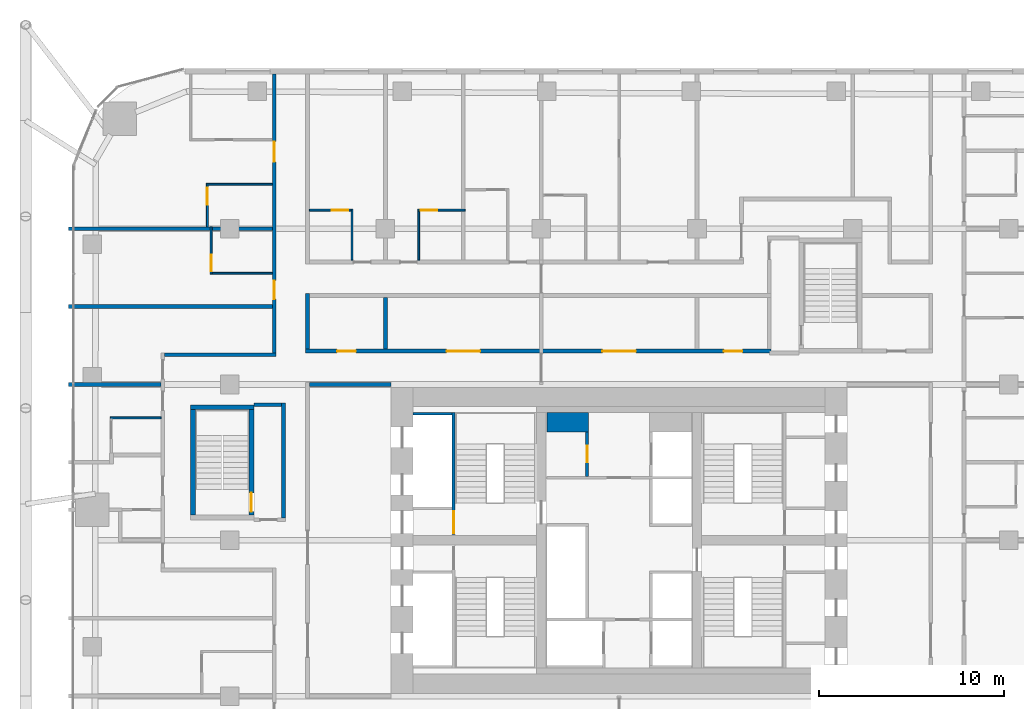
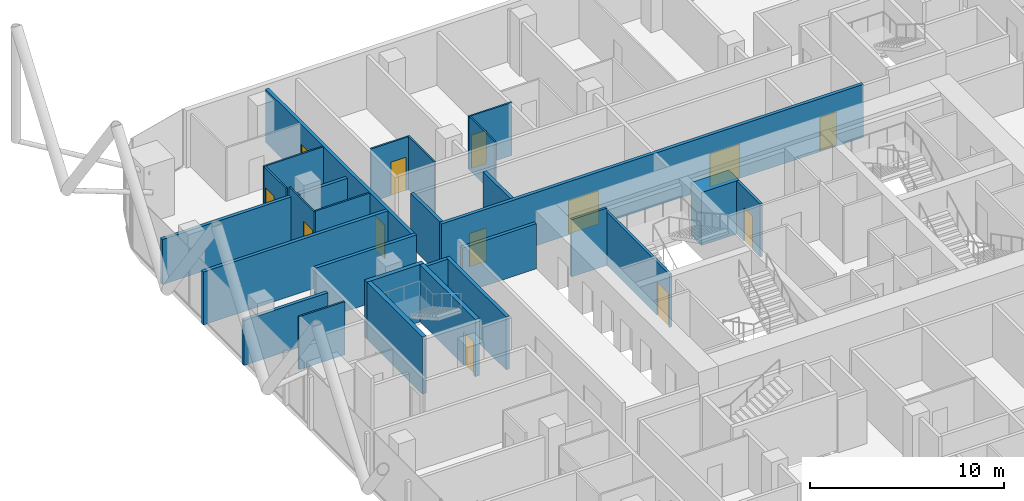
# One storey, part 33 of 38: 27 walls, 13 doors, 13 openings.
"""IFC4 building model written with IfcOpenShell, lengths in metres."""

from ifc_helpers import new_model, si_unit, direction, frame, frame_2d, origin, place, context, subcontext, project, spatial, rectangle, extrude, material, layer, layer_set, type_object, element, fill, save


model = new_model("IFC4")

# Units and contexts
model_context = context("Model", 3, precision=1e-05, world=origin(), true_north=direction((0.0, 1.0)))
body_context = subcontext(model_context, "Body", "Model", "MODEL_VIEW")
ifc_project = project(units=[si_unit("LENGTHUNIT", "METRE"), si_unit("AREAUNIT", "SQUARE_METRE"), si_unit("VOLUMEUNIT", "CUBIC_METRE"), si_unit("PLANEANGLEUNIT", "RADIAN"), si_unit("MASSUNIT", "GRAM", prefix="KILO")], contexts=[model_context])

# Site, building, storey
site_placement = place(None, origin())
site = spatial("IfcSite", under=ifc_project, at=site_placement, CompositionType="ELEMENT")
building_placement = place(site_placement, origin())
building = spatial("IfcBuilding", under=site, at=building_placement, Name="Marenta Gate Hotel Tower", CompositionType="ELEMENT")
storey_placement = place(building_placement, frame((0.0, 0.0, 40.10009765625)))
storey = spatial("IfcBuildingStorey", under=building, at=storey_placement, Name="L07", CompositionType="ELEMENT", Elevation=40.10009765625)

# Walls
ifc_material_1 = material(Name="Concrete blockwork", Category="masonry")
ifc_layer_1 = layer(ifc_material_1, 0.199951171875)
ifc_layer_set_1 = layer_set([ifc_layer_1], Name="Concrete blockwork")
wall_type_1 = type_object("IfcWallType", Name="Core boundary wall 200 REI 180", PredefinedType="PARTITIONING", material=ifc_layer_set_1)
wall_1_placement = place(storey_placement, frame((-16.699951171875, 16.800048828125, 0.0), z_axis=(0.0, 0.0, 1.0), x_axis=(1.0, 0.0, 0.0)))
element("IfcWall", 1, at=wall_1_placement, inside=storey, type_object=wall_type_1, Name="L07-CP-EW-WN", PredefinedType="PARTITIONING", context=body_context, shape_type="SweptSolid", body=[
    extrude(rectangle(XDim=4.39990234375, YDim=0.199951171875, at=frame_2d((2.199951171875, 0.0))), origin(), (0.0, 0.0, 1.0), 2.83984375),
])
ifc_material_2 = material(Name="Concrete blockwork", Category="masonry")
ifc_layer_2 = layer(ifc_material_2, 1.050048828125)
ifc_layer_set_2 = layer_set([ifc_layer_2], Name="Concrete blockwork")
wall_type_2 = type_object("IfcWallType", Name="Core room partition 1050 REI 180", PredefinedType="PARTITIONING", material=ifc_layer_set_2)
wall_2_placement = place(storey_placement, frame((-3.89990234375, 14.77490234375, 0.0), z_axis=(0.0, 0.0, 1.0), x_axis=(1.0, 0.0, 0.0)))
element("IfcWall", 2, at=wall_2_placement, inside=storey, type_object=wall_type_2, Name="L07-CP-CW-W-riser-N", PredefinedType="PARTITIONING", context=body_context, shape_type="SweptSolid", body=[
    extrude(rectangle(XDim=2.25, YDim=1.050048828125, at=frame_2d((1.125, 0.0))), origin(), (0.0, 0.0, 1.0), 3.33984375),
])

# Wall, opening, door
ifc_material_3 = material(Name="Concrete blockwork", Category="masonry")
ifc_layer_3 = layer(ifc_material_3, 0.14990234375)
ifc_layer_set_3 = layer_set([ifc_layer_3], Name="Concrete blockwork")
wall_type_3 = type_object("IfcWallType", Name="Core room partition 150 REI 180", PredefinedType="PARTITIONING", material=ifc_layer_set_3)
wall_3_placement = place(storey_placement, frame((-1.72509765625, 11.85009765625, 0.0), z_axis=(0.0, 0.0, 1.0), x_axis=(0.0, 1.0, 0.0)))
wall_3 = element("IfcWall", 3, at=wall_3_placement, inside=storey, type_object=wall_type_3, Name="L07-CP-CW-W-riser-front", PredefinedType="PARTITIONING", context=body_context, shape_type="SweptSolid", body=[
    extrude(rectangle(XDim=2.39990234375, YDim=0.14990234375, at=frame_2d((1.199951171875, 0.0))), origin(), (0.0, 0.0, 1.0), 3.33984375),
])
opening_1_placement = place(wall_3_placement, frame((0.75, 0.0, 0.0)))
opening_1 = element("IfcOpeningElement", 4, at=opening_1_placement, cuts=wall_3, Name="Opening RD-CRISER", PredefinedType="OPENING", context=body_context, shape_type="SweptSolid", body=[
    extrude(rectangle(XDim=0.89990234375, YDim=2.10009765625, at=frame_2d((0.449951171875, 1.050048828125))), frame((0.0, 0.074951171875, 0.0), z_axis=(0.0, -1.0, 0.0), x_axis=(1.0, 0.0, 0.0)), (0.0, 0.0, 1.0), 0.14990234375),
])
ifc_material_4 = material(Name="Steel", Category="steel")
door_type_1 = type_object("IfcDoorType", Name="Core riser door 900x2100 FD60", OperationType="SINGLE_SWING_LEFT", PredefinedType="DOOR", material=ifc_material_4)
door_1_placement = place(opening_1_placement, origin())
door_1 = element("IfcDoor", 5, at=door_1_placement, inside=storey, type_object=door_type_1, Name="RD-CRISER", OperationType="SINGLE_SWING_LEFT", OverallHeight=2.10009765625, OverallWidth=0.89990234375, PredefinedType="DOOR", context=body_context, shape_type="SweptSolid", body=[
    extrude(rectangle(XDim=0.89990234375, YDim=2.10009765625, at=frame_2d((0.449951171875, 1.050048828125))), frame((0.0, 0.02490234375, 0.0), z_axis=(0.0, -1.0, 0.0), x_axis=(1.0, 0.0, 0.0)), (0.0, 0.0, 1.0), 0.050048828125),
])
fill(opening_1, door_1)

# Wall
ifc_material_5 = material(Name="Concrete C40", Category="concrete")
ifc_layer_4 = layer(ifc_material_5, 0.14990234375)
ifc_layer_set_4 = layer_set([ifc_layer_4], Name="Concrete C40")
wall_type_4 = type_object("IfcWallType", Name="Core shaft wall 150 REI 180", PredefinedType="SHEAR", material=ifc_layer_set_4)
wall_4_placement = place(storey_placement, frame((-11.10009765625, 15.22509765625, 0.0), z_axis=(0.0, 0.0, 1.0), x_axis=(1.0, 0.0, 0.0)))
element("IfcWall", 6, at=wall_4_placement, inside=storey, type_object=wall_type_4, Name="L07-SHF-SW-WN-5", PredefinedType="SHEAR", context=body_context, shape_type="SweptSolid", body=[
    extrude(rectangle(XDim=2.10009765625, YDim=0.14990234375, at=frame_2d((1.050048828125, 0.0))), origin(), (0.0, 0.0, 1.0), 3.599853515625),
])

# Wall, opening, door
ifc_material_6 = material(Name="Concrete C40", Category="concrete")
ifc_layer_5 = layer(ifc_material_6, 0.14990234375)
ifc_layer_set_5 = layer_set([ifc_layer_5], Name="Concrete C40")
wall_type_5 = type_object("IfcWallType", Name="Core stair enclosure wall 150 REI 180", PredefinedType="SHEAR", material=ifc_layer_set_5)
wall_5_placement = place(storey_placement, frame((-8.925048828125, 8.699951171875, 0.0), z_axis=(0.0, 0.0, 1.0), x_axis=(0.0, 1.0, 0.0)))
wall_5 = element("IfcWall", 7, at=wall_5_placement, inside=storey, type_object=wall_type_5, Name="L07-SHF-SW-WN-3", PredefinedType="SHEAR", context=body_context, shape_type="SweptSolid", body=[
    extrude(rectangle(XDim=6.60009765625, YDim=0.14990234375, at=frame_2d((3.300048828125, 0.0))), origin(), (0.0, 0.0, 1.0), 3.33984375),
])
opening_2_placement = place(wall_5_placement, frame((0.074951171875, 0.0, 0.0)))
opening_2 = element("IfcOpeningElement", 8, at=opening_2_placement, cuts=wall_5, Name="Opening SD-WN", PredefinedType="OPENING", context=body_context, shape_type="SweptSolid", body=[
    extrude(rectangle(XDim=1.199951171875, YDim=2.10009765625, at=frame_2d((0.60009765625, 1.050048828125))), frame((0.0, 0.074951171875, 0.0), z_axis=(0.0, -1.0, 0.0), x_axis=(1.0, 0.0, 0.0)), (0.0, 0.0, 1.0), 0.14990234375),
])
ifc_material_7 = material(Name="Steel", Category="steel")
door_type_2 = type_object("IfcDoorType", Name="Core stair door 1200x2100 FD60", OperationType="SINGLE_SWING_LEFT", PredefinedType="DOOR", material=ifc_material_7)
door_2_placement = place(opening_2_placement, origin())
door_2 = element("IfcDoor", 9, at=door_2_placement, inside=storey, type_object=door_type_2, Name="SD-WN", OperationType="SINGLE_SWING_LEFT", OverallHeight=2.10009765625, OverallWidth=1.199951171875, PredefinedType="DOOR", context=body_context, shape_type="SweptSolid", body=[
    extrude(rectangle(XDim=1.199951171875, YDim=2.10009765625, at=frame_2d((0.60009765625, 1.050048828125))), frame((0.0, 0.02490234375, 0.0), z_axis=(0.0, -1.0, 0.0), x_axis=(1.0, 0.0, 0.0)), (0.0, 0.0, 1.0), 0.050048828125),
])
fill(opening_2, door_2)

# Walls
ifc_material_8 = material(Name="Concrete C40", Category="concrete")
ifc_layer_6 = layer(ifc_material_8, 0.25)
ifc_layer_set_6 = layer_set([ifc_layer_6], Name="Concrete C40")
wall_type_6 = type_object("IfcWallType", Name="Remote stair enclosure wall 250 REI 180", PredefinedType="SHEAR", material=ifc_layer_set_6)
wall_6_placement = place(storey_placement, frame((-23.10009765625, 15.574951171875, 0.099853515625), z_axis=(0.0, 0.0, 1.0), x_axis=(1.0, 0.0, 0.0)))
element("IfcWall", 10, at=wall_6_placement, inside=storey, type_object=wall_type_6, Name="L07-RS-Z1-3-W2", PredefinedType="SHEAR", context=body_context, shape_type="SweptSolid", body=[
    extrude(rectangle(XDim=3.400146484375, YDim=0.25, at=frame_2d((1.7001953125, 0.0))), origin(), (0.0, 0.0, 1.0), 3.60009765625),
])
wall_7_placement = place(storey_placement, frame((-22.97509765625, 9.75, 0.099853515625), z_axis=(0.0, 0.0, 1.0), x_axis=(0.0, 1.0, 0.0)))
element("IfcWall", 11, at=wall_7_placement, inside=storey, type_object=wall_type_6, Name="L07-RS-Z1-3-W3", PredefinedType="SHEAR", context=body_context, shape_type="SweptSolid", body=[
    extrude(rectangle(XDim=5.699951171875, YDim=0.25, at=frame_2d((2.85009765625, 0.0))), origin(), (0.0, 0.0, 1.0), 3.60009765625),
])

# Wall, opening, door
wall_8_placement = place(storey_placement, frame((-19.824951171875, 9.75, 0.099853515625), z_axis=(0.0, 0.0, 1.0), x_axis=(0.0, 1.0, 0.0)))
wall_8 = element("IfcWall", 12, at=wall_8_placement, inside=storey, type_object=wall_type_6, Name="L07-RS-Z1-3-W4", PredefinedType="SHEAR", context=body_context, shape_type="SweptSolid", body=[
    extrude(rectangle(XDim=5.699951171875, YDim=0.25, at=frame_2d((2.85009765625, 0.0))), origin(), (0.0, 0.0, 1.0), 3.60009765625),
])
opening_3_placement = place(wall_8_placement, frame((0.199951171875, 0.0, 0.0)))
opening_3 = element("IfcOpeningElement", 13, at=opening_3_placement, cuts=wall_8, Name="Opening VD", PredefinedType="OPENING", context=body_context, shape_type="SweptSolid", body=[
    extrude(rectangle(XDim=1.0, YDim=2.10009765625, at=frame_2d((0.5, 1.050048828125))), frame((0.0, 0.125, 0.0), z_axis=(0.0, -1.0, 0.0), x_axis=(1.0, 0.0, 0.0)), (0.0, 0.0, 1.0), 0.25),
])
ifc_material_9 = material(Name="Steel", Category="steel")
door_type_3 = type_object("IfcDoorType", Name="Stair vestibule door 1000x2100 FD60", OperationType="SINGLE_SWING_LEFT", PredefinedType="DOOR", material=ifc_material_9)
door_3_placement = place(opening_3_placement, origin())
door_3 = element("IfcDoor", 14, at=door_3_placement, inside=storey, type_object=door_type_3, Name="VD", OperationType="SINGLE_SWING_LEFT", OverallHeight=2.10009765625, OverallWidth=1.0, PredefinedType="DOOR", context=body_context, shape_type="SweptSolid", body=[
    extrude(rectangle(XDim=1.0, YDim=2.10009765625, at=frame_2d((0.5, 1.050048828125))), frame((0.0, 0.02490234375, 0.0), z_axis=(0.0, -1.0, 0.0), x_axis=(1.0, 0.0, 0.0)), (0.0, 0.0, 1.0), 0.050048828125),
])
fill(opening_3, door_3)

# Wall
ifc_material_10 = material(Name="Concrete blockwork", Category="masonry")
ifc_layer_7 = layer(ifc_material_10, 0.199951171875)
ifc_layer_set_7 = layer_set([ifc_layer_7], Name="Concrete blockwork")
wall_type_7 = type_object("IfcWallType", Name="Room corridor wall 200 EI 120", PredefinedType="PARTITIONING", material=ifc_layer_set_7)
wall_9_placement = place(storey_placement, frame((-16.800048828125, 18.699951171875, 0.0), z_axis=(0.0, 0.0, 1.0), x_axis=(0.0, 1.0, 0.0)))
element("IfcWall", 15, at=wall_9_placement, inside=storey, type_object=wall_type_7, Name="L07-PTN-W112", PredefinedType="PARTITIONING", context=body_context, shape_type="SweptSolid", body=[
    extrude(rectangle(XDim=3.0, YDim=0.199951171875, at=frame_2d((1.5, 0.0))), origin(), (0.0, 0.0, 1.0), 3.33984375),
])

# Wall, openings, doors
wall_10_placement = place(storey_placement, frame((-16.89990234375, 18.60009765625, 0.0), z_axis=(0.0, 0.0, 1.0), x_axis=(1.0, 0.0, 0.0)))
wall_10 = element("IfcWall", 16, at=wall_10_placement, inside=storey, type_object=wall_type_7, Name="L07-PTN-W121", PredefinedType="PARTITIONING", context=body_context, shape_type="SweptSolid", body=[
    extrude(rectangle(XDim=25.099853515625, YDim=0.199951171875, at=frame_2d((12.5498046875, 0.0))), origin(), (0.0, 0.0, 1.0), 3.33984375),
])
opening_4_placement = place(wall_10_placement, frame((1.699951171875, 0.0, 0.0)))
opening_4 = element("IfcOpeningElement", 17, at=opening_4_placement, cuts=wall_10, Name="Opening G02-01", PredefinedType="OPENING", context=body_context, shape_type="SweptSolid", body=[
    extrude(rectangle(XDim=1.0, YDim=2.10009765625, at=frame_2d((0.5, 1.050048828125))), frame((0.0, 0.10009765625, 0.0), z_axis=(0.0, -1.0, 0.0), x_axis=(1.0, 0.0, 0.0)), (0.0, 0.0, 1.0), 0.199951171875),
])
opening_5_placement = place(wall_10_placement, frame((7.60009765625, 0.0, 0.0)))
opening_5 = element("IfcOpeningElement", 18, at=opening_5_placement, cuts=wall_10, Name="Opening G02-02", PredefinedType="OPENING", context=body_context, shape_type="SweptSolid", body=[
    extrude(rectangle(XDim=1.800048828125, YDim=2.10009765625, at=frame_2d((0.89990234375, 1.050048828125))), frame((0.0, 0.10009765625, 0.0), z_axis=(0.0, -1.0, 0.0), x_axis=(1.0, 0.0, 0.0)), (0.0, 0.0, 1.0), 0.199951171875),
])
opening_6_placement = place(wall_10_placement, frame((16.0, 0.0, 0.0)))
opening_6 = element("IfcOpeningElement", 19, at=opening_6_placement, cuts=wall_10, Name="Opening G02-03", PredefinedType="OPENING", context=body_context, shape_type="SweptSolid", body=[
    extrude(rectangle(XDim=1.800048828125, YDim=2.10009765625, at=frame_2d((0.89990234375, 1.050048828125))), frame((0.0, 0.10009765625, 0.0), z_axis=(0.0, -1.0, 0.0), x_axis=(1.0, 0.0, 0.0)), (0.0, 0.0, 1.0), 0.199951171875),
])
opening_7_placement = place(wall_10_placement, frame((22.550048828125, 0.0, 0.0)))
opening_7 = element("IfcOpeningElement", 20, at=opening_7_placement, cuts=wall_10, Name="Opening G02-04", PredefinedType="OPENING", context=body_context, shape_type="SweptSolid", body=[
    extrude(rectangle(XDim=1.0, YDim=2.10009765625, at=frame_2d((0.5, 1.050048828125))), frame((0.0, 0.10009765625, 0.0), z_axis=(0.0, -1.0, 0.0), x_axis=(1.0, 0.0, 0.0)), (0.0, 0.0, 1.0), 0.199951171875),
])
ifc_material_11 = material(Name="Timber door leaf", Category="wood")
door_type_4 = type_object("IfcDoorType", Name="Room amenity door 1000x2100 EI 60", OperationType="NOTDEFINED", PredefinedType="DOOR", material=ifc_material_11)
door_4_placement = place(opening_7_placement, origin())
door_4 = element("IfcDoor", 21, at=door_4_placement, inside=storey, type_object=door_type_4, Name="L07-PD-D004", OperationType="SINGLE_SWING_RIGHT", OverallHeight=2.10009765625, OverallWidth=1.0, PredefinedType="DOOR", context=body_context, shape_type="SweptSolid", body=[
    extrude(rectangle(XDim=1.0, YDim=2.10009765625, at=frame_2d((0.5, 1.050048828125))), frame((0.0, 0.02490234375, 0.0), z_axis=(0.0, -1.0, 0.0), x_axis=(1.0, 0.0, 0.0)), (0.0, 0.0, 1.0), 0.050048828125),
])
fill(opening_7, door_4)
ifc_material_12 = material(Name="Timber door leaf", Category="wood")
door_type_5 = type_object("IfcDoorType", Name="Room amenity door 1800x2100 EI 60", OperationType="DOUBLE_DOOR_SINGLE_SWING", PredefinedType="DOOR", material=ifc_material_12)
door_5_placement = place(opening_5_placement, origin())
door_5 = element("IfcDoor", 22, at=door_5_placement, inside=storey, type_object=door_type_5, Name="L07-PD-D002", OperationType="DOUBLE_DOOR_SINGLE_SWING", OverallHeight=2.10009765625, OverallWidth=1.800048828125, PredefinedType="DOOR", context=body_context, shape_type="SweptSolid", body=[
    extrude(rectangle(XDim=1.800048828125, YDim=2.10009765625, at=frame_2d((0.89990234375, 1.050048828125))), frame((0.0, 0.02490234375, 0.0), z_axis=(0.0, -1.0, 0.0), x_axis=(1.0, 0.0, 0.0)), (0.0, 0.0, 1.0), 0.050048828125),
])
fill(opening_5, door_5)
door_6_placement = place(opening_6_placement, origin())
door_6 = element("IfcDoor", 23, at=door_6_placement, inside=storey, type_object=door_type_5, Name="L07-PD-D003", OperationType="DOUBLE_DOOR_SINGLE_SWING", OverallHeight=2.10009765625, OverallWidth=1.800048828125, PredefinedType="DOOR", context=body_context, shape_type="SweptSolid", body=[
    extrude(rectangle(XDim=1.800048828125, YDim=2.10009765625, at=frame_2d((0.89990234375, 1.050048828125))), frame((0.0, 0.02490234375, 0.0), z_axis=(0.0, -1.0, 0.0), x_axis=(1.0, 0.0, 0.0)), (0.0, 0.0, 1.0), 0.050048828125),
])
fill(opening_6, door_6)
ifc_material_13 = material(Name="Hollow steel door set", Category="steel")
door_type_6 = type_object("IfcDoorType", Name="Room service door 1000x2100 EI 60", OperationType="NOTDEFINED", PredefinedType="DOOR", material=ifc_material_13)
door_7_placement = place(opening_4_placement, origin())
door_7 = element("IfcDoor", 24, at=door_7_placement, inside=storey, type_object=door_type_6, Name="L07-PD-D001", OperationType="SINGLE_SWING_RIGHT", OverallHeight=2.10009765625, OverallWidth=1.0, PredefinedType="DOOR", context=body_context, shape_type="SweptSolid", body=[
    extrude(rectangle(XDim=1.0, YDim=2.10009765625, at=frame_2d((0.5, 1.050048828125))), frame((0.0, 0.02490234375, 0.0), z_axis=(0.0, -1.0, 0.0), x_axis=(1.0, 0.0, 0.0)), (0.0, 0.0, 1.0), 0.050048828125),
])
fill(opening_4, door_7)

# Wall
ifc_material_14 = material(Name="Gypsum board on steel stud", Category="steel")
ifc_layer_8 = layer(ifc_material_14, 0.199951171875)
ifc_layer_set_8 = layer_set([ifc_layer_8], Name="Gypsum board on steel stud")
wall_type_8 = type_object("IfcWallType", Name="Room corridor wall 200 EI 60", PredefinedType="PARTITIONING", material=ifc_layer_set_8)
wall_11_placement = place(storey_placement, frame((-24.5, 18.39990234375, 0.0), z_axis=(0.0, 0.0, 1.0), x_axis=(1.0, 0.0, 0.0)))
element("IfcWall", 25, at=wall_11_placement, inside=storey, type_object=wall_type_8, Name="L07-PTN-W117", PredefinedType="PARTITIONING", context=body_context, shape_type="SweptSolid", body=[
    extrude(rectangle(XDim=6.0, YDim=0.199951171875, at=frame_2d((3.0, 0.0))), origin(), (0.0, 0.0, 1.0), 3.33984375),
])

# Wall, openings, doors
wall_12_placement = place(storey_placement, frame((-18.60009765625, 18.5, 0.0), z_axis=(0.0, 0.0, 1.0), x_axis=(0.0, 1.0, 0.0)))
wall_12 = element("IfcWall", 26, at=wall_12_placement, inside=storey, type_object=wall_type_8, Name="L07-PTN-W120", PredefinedType="PARTITIONING", context=body_context, shape_type="SweptSolid", body=[
    extrude(rectangle(XDim=15.0400390625, YDim=0.199951171875, at=frame_2d((7.52001953125, 0.0))), origin(), (0.0, 0.0, 1.0), 3.33984375),
])
opening_8_placement = place(wall_12_placement, frame((2.89990234375, 0.0, 0.0)))
opening_8 = element("IfcOpeningElement", 27, at=opening_8_placement, cuts=wall_12, Name="Opening G02-63", PredefinedType="OPENING", context=body_context, shape_type="SweptSolid", body=[
    extrude(rectangle(XDim=1.0, YDim=2.10009765625, at=frame_2d((0.5, 1.050048828125))), frame((0.0, 0.10009765625, 0.0), z_axis=(0.0, -1.0, 0.0), x_axis=(1.0, 0.0, 0.0)), (0.0, 0.0, 1.0), 0.199951171875),
])
opening_9_placement = place(wall_12_placement, frame((10.300048828125, 0.0, 0.0)))
opening_9 = element("IfcOpeningElement", 28, at=opening_9_placement, cuts=wall_12, Name="Opening G02-65", PredefinedType="OPENING", context=body_context, shape_type="SweptSolid", body=[
    extrude(rectangle(XDim=1.10009765625, YDim=2.10009765625, at=frame_2d((0.550048828125, 1.050048828125))), frame((0.0, 0.10009765625, 0.0), z_axis=(0.0, -1.0, 0.0), x_axis=(1.0, 0.0, 0.0)), (0.0, 0.0, 1.0), 0.199951171875),
])
ifc_material_15 = material(Name="Timber door leaf", Category="wood")
door_type_7 = type_object("IfcDoorType", Name="Guest room door 1000x2100 EI 30", OperationType="NOTDEFINED", PredefinedType="DOOR", material=ifc_material_15)
door_8_placement = place(opening_8_placement, origin())
door_8 = element("IfcDoor", 29, at=door_8_placement, inside=storey, type_object=door_type_7, Name="L07-PD-D063", OperationType="SINGLE_SWING_RIGHT", OverallHeight=2.10009765625, OverallWidth=1.0, PredefinedType="DOOR", context=body_context, shape_type="SweptSolid", body=[
    extrude(rectangle(XDim=1.0, YDim=2.10009765625, at=frame_2d((0.5, 1.050048828125))), frame((0.0, 0.02490234375, 0.0), z_axis=(0.0, -1.0, 0.0), x_axis=(1.0, 0.0, 0.0)), (0.0, 0.0, 1.0), 0.050048828125),
])
fill(opening_8, door_8)
ifc_material_16 = material(Name="Timber door leaf", Category="wood")
door_type_8 = type_object("IfcDoorType", Name="Guest room door 1100x2100 EI 30", OperationType="NOTDEFINED", PredefinedType="DOOR", material=ifc_material_16)
door_9_placement = place(opening_9_placement, origin())
door_9 = element("IfcDoor", 30, at=door_9_placement, inside=storey, type_object=door_type_8, Name="L07-PD-D065", OperationType="SINGLE_SWING_RIGHT", OverallHeight=2.10009765625, OverallWidth=1.10009765625, PredefinedType="DOOR", context=body_context, shape_type="SweptSolid", body=[
    extrude(rectangle(XDim=1.10009765625, YDim=2.10009765625, at=frame_2d((0.550048828125, 1.050048828125))), frame((0.0, 0.02490234375, 0.0), z_axis=(0.0, -1.0, 0.0), x_axis=(1.0, 0.0, 0.0)), (0.0, 0.0, 1.0), 0.050048828125),
])
fill(opening_9, door_9)

# Walls
ifc_material_17 = material(Name="Concrete blockwork", Category="masonry")
ifc_layer_9 = layer(ifc_material_17, 0.199951171875)
ifc_layer_set_9 = layer_set([ifc_layer_9], Name="Concrete blockwork")
wall_type_9 = type_object("IfcWallType", Name="Room corridor wall 200 REI 180", PredefinedType="PARTITIONING", material=ifc_layer_set_9)
wall_13_placement = place(storey_placement, frame((-19.699951171875, 15.699951171875, 0.0), z_axis=(0.0, 0.0, 1.0), x_axis=(1.0, 0.0, 0.0)))
element("IfcWall", 31, at=wall_13_placement, inside=storey, type_object=wall_type_9, Name="L07-PTN-W109", PredefinedType="PARTITIONING", context=body_context, shape_type="SweptSolid", body=[
    extrude(rectangle(XDim=1.5, YDim=0.199951171875, at=frame_2d((0.75, 0.0))), origin(), (0.0, 0.0, 1.0), 3.33984375),
])
wall_14_placement = place(storey_placement, frame((-18.10009765625, 9.60009765625, 0.0), z_axis=(0.0, 0.0, 1.0), x_axis=(0.0, 1.0, 0.0)))
element("IfcWall", 32, at=wall_14_placement, inside=storey, type_object=wall_type_9, Name="L07-PTN-W116", PredefinedType="PARTITIONING", context=body_context, shape_type="SweptSolid", body=[
    extrude(rectangle(XDim=6.199951171875, YDim=0.199951171875, at=frame_2d((3.10009765625, 0.0))), origin(), (0.0, 0.0, 1.0), 3.33984375),
])
ifc_material_18 = material(Name="Gypsum board on steel stud", Category="steel")
ifc_layer_10 = layer(ifc_material_18, 0.10009765625)
ifc_layer_set_10 = layer_set([ifc_layer_10], Name="Gypsum board on steel stud")
wall_type_10 = type_object("IfcWallType", Name="Room partition 100", PredefinedType="PARTITIONING", material=ifc_layer_set_10)
wall_15_placement = place(storey_placement, frame((-10.800048828125, 23.5, 0.0), z_axis=(0.0, 0.0, 1.0), x_axis=(0.0, 1.0, 0.0)))
element("IfcWall", 33, at=wall_15_placement, inside=storey, type_object=wall_type_10, Name="L07-PTN-W095", PredefinedType="PARTITIONING", context=body_context, shape_type="SweptSolid", body=[
    extrude(rectangle(XDim=2.64990234375, YDim=0.10009765625, at=frame_2d((1.324951171875, 0.0))), origin(), (0.0, 0.0, 1.0), 3.33984375),
])
wall_16_placement = place(storey_placement, frame((-14.39990234375, 23.5, 0.0), z_axis=(0.0, 0.0, 1.0), x_axis=(0.0, 1.0, 0.0)))
element("IfcWall", 34, at=wall_16_placement, inside=storey, type_object=wall_type_10, Name="L07-PTN-W104", PredefinedType="PARTITIONING", context=body_context, shape_type="SweptSolid", body=[
    extrude(rectangle(XDim=2.75, YDim=0.10009765625, at=frame_2d((1.375, 0.0))), origin(), (0.0, 0.0, 1.0), 3.33984375),
])
wall_17_placement = place(storey_placement, frame((-27.425048828125, 15.0, 0.0), z_axis=(0.0, 0.0, 1.0), x_axis=(1.0, 0.0, 0.0)))
element("IfcWall", 35, at=wall_17_placement, inside=storey, type_object=wall_type_10, Name="L07-PTN-W105", PredefinedType="PARTITIONING", context=body_context, shape_type="SweptSolid", body=[
    extrude(rectangle(XDim=2.72509765625, YDim=0.10009765625, at=frame_2d((1.362548828125, 0.0))), origin(), (0.0, 0.0, 1.0), 3.33984375),
])

# Wall, opening, door
wall_18_placement = place(storey_placement, frame((-22.0, 22.75, 0.0), z_axis=(0.0, 0.0, 1.0), x_axis=(0.0, 1.0, 0.0)))
wall_18 = element("IfcWall", 36, at=wall_18_placement, inside=storey, type_object=wall_type_10, Name="L07-PTN-W129", PredefinedType="PARTITIONING", context=body_context, shape_type="SweptSolid", body=[
    extrude(rectangle(XDim=2.550048828125, YDim=0.10009765625, at=frame_2d((1.27490234375, 0.0))), origin(), (0.0, 0.0, 1.0), 3.33984375),
])
opening_10_placement = place(wall_18_placement, frame((0.14990234375, 0.0, 0.0)))
opening_10 = element("IfcOpeningElement", 37, at=opening_10_placement, cuts=wall_18, Name="Opening G02-64", PredefinedType="OPENING", context=body_context, shape_type="SweptSolid", body=[
    extrude(rectangle(XDim=0.89990234375, YDim=2.10009765625, at=frame_2d((0.449951171875, 1.050048828125))), frame((0.0, 0.050048828125, 0.0), z_axis=(0.0, -1.0, 0.0), x_axis=(1.0, 0.0, 0.0)), (0.0, 0.0, 1.0), 0.10009765625),
])
ifc_material_19 = material(Name="Timber door leaf", Category="wood")
door_type_9 = type_object("IfcDoorType", Name="Guest bathroom door 900x2100", OperationType="NOTDEFINED", PredefinedType="DOOR", material=ifc_material_19)
door_10_placement = place(opening_10_placement, origin())
door_10 = element("IfcDoor", 38, at=door_10_placement, inside=storey, type_object=door_type_9, Name="L07-PD-D064", OperationType="SINGLE_SWING_RIGHT", OverallHeight=2.10009765625, OverallWidth=0.89990234375, PredefinedType="DOOR", context=body_context, shape_type="SweptSolid", body=[
    extrude(rectangle(XDim=0.89990234375, YDim=2.10009765625, at=frame_2d((0.449951171875, 1.050048828125))), frame((0.0, 0.02490234375, 0.0), z_axis=(0.0, -1.0, 0.0), x_axis=(1.0, 0.0, 0.0)), (0.0, 0.0, 1.0), 0.050048828125),
])
fill(opening_10, door_10)

wall_19_placement = place(storey_placement, frame((-22.199951171875, 25.300048828125, 0.0), z_axis=(0.0, 0.0, 1.0), x_axis=(0.0, 1.0, 0.0)))
wall_19 = element("IfcWall", 39, at=wall_19_placement, inside=storey, type_object=wall_type_10, Name="L07-PTN-W131", PredefinedType="PARTITIONING", context=body_context, shape_type="SweptSolid", body=[
    extrude(rectangle(XDim=2.25, YDim=0.10009765625, at=frame_2d((1.125, 0.0))), origin(), (0.0, 0.0, 1.0), 3.33984375),
])
opening_11_placement = place(wall_19_placement, frame((1.199951171875, 0.0, 0.0)))
opening_11 = element("IfcOpeningElement", 40, at=opening_11_placement, cuts=wall_19, Name="Opening G02-67", PredefinedType="OPENING", context=body_context, shape_type="SweptSolid", body=[
    extrude(rectangle(XDim=0.89990234375, YDim=2.10009765625, at=frame_2d((0.449951171875, 1.050048828125))), frame((0.0, 0.050048828125, 0.0), z_axis=(0.0, -1.0, 0.0), x_axis=(1.0, 0.0, 0.0)), (0.0, 0.0, 1.0), 0.10009765625),
])
ifc_material_20 = material(Name="Timber door leaf", Category="wood")
door_type_10 = type_object("IfcDoorType", Name="Room inner door 900x2100", OperationType="NOTDEFINED", PredefinedType="DOOR", material=ifc_material_20)
door_11_placement = place(opening_11_placement, origin())
door_11 = element("IfcDoor", 41, at=door_11_placement, inside=storey, type_object=door_type_10, Name="L07-PD-D067", OperationType="SINGLE_SWING_LEFT", OverallHeight=2.10009765625, OverallWidth=0.89990234375, PredefinedType="DOOR", context=body_context, shape_type="SweptSolid", body=[
    extrude(rectangle(XDim=0.89990234375, YDim=2.10009765625, at=frame_2d((0.449951171875, 1.050048828125))), frame((0.0, 0.02490234375, 0.0), z_axis=(0.0, -1.0, 0.0), x_axis=(1.0, 0.0, 0.0)), (0.0, 0.0, 1.0), 0.050048828125),
])
fill(opening_11, door_11)

# Wall
wall_20_placement = place(storey_placement, frame((-21.949951171875, 22.800048828125, 0.0), z_axis=(0.0, 0.0, 1.0), x_axis=(1.0, 0.0, 0.0)))
element("IfcWall", 42, at=wall_20_placement, inside=storey, type_object=wall_type_10, Name="L07-PTN-W133", PredefinedType="PARTITIONING", context=body_context, shape_type="SweptSolid", body=[
    extrude(rectangle(XDim=3.25, YDim=0.10009765625, at=frame_2d((1.625, 0.0))), origin(), (0.0, 0.0, 1.0), 3.33984375),
])

# Wall, opening, door
wall_21_placement = place(storey_placement, frame((-16.699951171875, 26.199951171875, 0.0), z_axis=(0.0, 0.0, 1.0), x_axis=(1.0, 0.0, 0.0)))
wall_21 = element("IfcWall", 43, at=wall_21_placement, inside=storey, type_object=wall_type_10, Name="L07-PTN-W143", PredefinedType="PARTITIONING", context=body_context, shape_type="SweptSolid", body=[
    extrude(rectangle(XDim=2.25, YDim=0.10009765625, at=frame_2d((1.125, 0.0))), origin(), (0.0, 0.0, 1.0), 3.33984375),
])
opening_12_placement = place(wall_21_placement, frame((1.199951171875, 0.0, 0.0)))
opening_12 = element("IfcOpeningElement", 44, at=opening_12_placement, cuts=wall_21, Name="Opening G02-31", PredefinedType="OPENING", context=body_context, shape_type="SweptSolid", body=[
    extrude(rectangle(XDim=0.89990234375, YDim=2.10009765625, at=frame_2d((0.449951171875, 1.050048828125))), frame((0.0, 0.050048828125, 0.0), z_axis=(0.0, -1.0, 0.0), x_axis=(1.0, 0.0, 0.0)), (0.0, 0.0, 1.0), 0.10009765625),
])
door_12_placement = place(opening_12_placement, origin())
door_12 = element("IfcDoor", 45, at=door_12_placement, inside=storey, type_object=door_type_9, Name="L07-PD-D031", OperationType="SINGLE_SWING_LEFT", OverallHeight=2.10009765625, OverallWidth=0.89990234375, PredefinedType="DOOR", context=body_context, shape_type="SweptSolid", body=[
    extrude(rectangle(XDim=0.89990234375, YDim=2.10009765625, at=frame_2d((0.449951171875, 1.050048828125))), frame((0.0, 0.02490234375, 0.0), z_axis=(0.0, -1.0, 0.0), x_axis=(1.0, 0.0, 0.0)), (0.0, 0.0, 1.0), 0.050048828125),
])
fill(opening_12, door_12)

wall_22_placement = place(storey_placement, frame((-10.85009765625, 26.199951171875, 0.0), z_axis=(0.0, 0.0, 1.0), x_axis=(1.0, 0.0, 0.0)))
wall_22 = element("IfcWall", 46, at=wall_22_placement, inside=storey, type_object=wall_type_10, Name="L07-PTN-W144", PredefinedType="PARTITIONING", context=body_context, shape_type="SweptSolid", body=[
    extrude(rectangle(XDim=2.550048828125, YDim=0.10009765625, at=frame_2d((1.27490234375, 0.0))), origin(), (0.0, 0.0, 1.0), 3.33984375),
])
opening_13_placement = place(wall_22_placement, frame((0.14990234375, 0.0, 0.0)))
opening_13 = element("IfcOpeningElement", 47, at=opening_13_placement, cuts=wall_22, Name="Opening G02-33", PredefinedType="OPENING", context=body_context, shape_type="SweptSolid", body=[
    extrude(rectangle(XDim=0.89990234375, YDim=2.10009765625, at=frame_2d((0.449951171875, 1.050048828125))), frame((0.0, 0.050048828125, 0.0), z_axis=(0.0, -1.0, 0.0), x_axis=(1.0, 0.0, 0.0)), (0.0, 0.0, 1.0), 0.10009765625),
])
door_13_placement = place(opening_13_placement, origin())
door_13 = element("IfcDoor", 48, at=door_13_placement, inside=storey, type_object=door_type_9, Name="L07-PD-D033", OperationType="SINGLE_SWING_RIGHT", OverallHeight=2.10009765625, OverallWidth=0.89990234375, PredefinedType="DOOR", context=body_context, shape_type="SweptSolid", body=[
    extrude(rectangle(XDim=0.89990234375, YDim=2.10009765625, at=frame_2d((0.449951171875, 1.050048828125))), frame((0.0, 0.02490234375, 0.0), z_axis=(0.0, -1.0, 0.0), x_axis=(1.0, 0.0, 0.0)), (0.0, 0.0, 1.0), 0.050048828125),
])
fill(opening_13, door_13)

# Walls
wall_23_placement = place(storey_placement, frame((-22.25, 27.60009765625, 0.0), z_axis=(0.0, 0.0, 1.0), x_axis=(1.0, 0.0, 0.0)))
element("IfcWall", 49, at=wall_23_placement, inside=storey, type_object=wall_type_10, Name="L07-PTN-W152", PredefinedType="PARTITIONING", context=body_context, shape_type="SweptSolid", body=[
    extrude(rectangle(XDim=3.550048828125, YDim=0.10009765625, at=frame_2d((1.77490234375, 0.0))), origin(), (0.0, 0.0, 1.0), 3.33984375),
])
ifc_material_21 = material(Name="Concrete blockwork", Category="masonry")
ifc_layer_11 = layer(ifc_material_21, 0.199951171875)
ifc_layer_set_11 = layer_set([ifc_layer_11], Name="Concrete blockwork")
wall_type_11 = type_object("IfcWallType", Name="Room party wall 200 EI 120", PredefinedType="PARTITIONING", material=ifc_layer_set_11)
wall_24_placement = place(storey_placement, frame((-12.60009765625, 18.699951171875, 0.0), z_axis=(0.0, 0.0, 1.0), x_axis=(0.0, 1.0, 0.0)))
element("IfcWall", 50, at=wall_24_placement, inside=storey, type_object=wall_type_11, Name="L07-PTN-W098", PredefinedType="PARTITIONING", context=body_context, shape_type="SweptSolid", body=[
    extrude(rectangle(XDim=2.800048828125, YDim=0.199951171875, at=frame_2d((1.39990234375, 0.0))), origin(), (0.0, 0.0, 1.0), 3.33984375),
])
ifc_material_22 = material(Name="Gypsum board on steel stud", Category="steel")
ifc_layer_12 = layer(ifc_material_22, 0.199951171875)
ifc_layer_set_12 = layer_set([ifc_layer_12], Name="Gypsum board on steel stud")
wall_type_12 = type_object("IfcWallType", Name="Room party wall 200 EI 60", PredefinedType="PARTITIONING", material=ifc_layer_set_12)
wall_25_placement = place(storey_placement, frame((-29.699951171875, 16.800048828125, 0.0), z_axis=(0.0, 0.0, 1.0), x_axis=(1.0, 0.0, 0.0)))
element("IfcWall", 51, at=wall_25_placement, inside=storey, type_object=wall_type_12, Name="L07-PTN-W114", PredefinedType="PARTITIONING", context=body_context, shape_type="SweptSolid", body=[
    extrude(rectangle(XDim=5.0, YDim=0.199951171875, at=frame_2d((2.5, 0.0))), origin(), (0.0, 0.0, 1.0), 2.83984375),
])
wall_26_placement = place(storey_placement, frame((-29.699951171875, 21.0, 0.0), z_axis=(0.0, 0.0, 1.0), x_axis=(1.0, 0.0, 0.0)))
element("IfcWall", 52, at=wall_26_placement, inside=storey, type_object=wall_type_12, Name="L07-PTN-W124", PredefinedType="PARTITIONING", context=body_context, shape_type="SweptSolid", body=[
    extrude(rectangle(XDim=11.0, YDim=0.199951171875, at=frame_2d((5.5, 0.0))), origin(), (0.0, 0.0, 1.0), 3.33984375),
])
wall_27_placement = place(storey_placement, frame((-29.699951171875, 25.199951171875, 0.0), z_axis=(0.0, 0.0, 1.0), x_axis=(1.0, 0.0, 0.0)))
element("IfcWall", 53, at=wall_27_placement, inside=storey, type_object=wall_type_12, Name="L07-PTN-W141", PredefinedType="PARTITIONING", context=body_context, shape_type="SweptSolid", body=[
    extrude(rectangle(XDim=11.0, YDim=0.199951171875, at=frame_2d((5.5, 0.0))), origin(), (0.0, 0.0, 1.0), 2.83984375),
])

save(model, "model.ifc")
